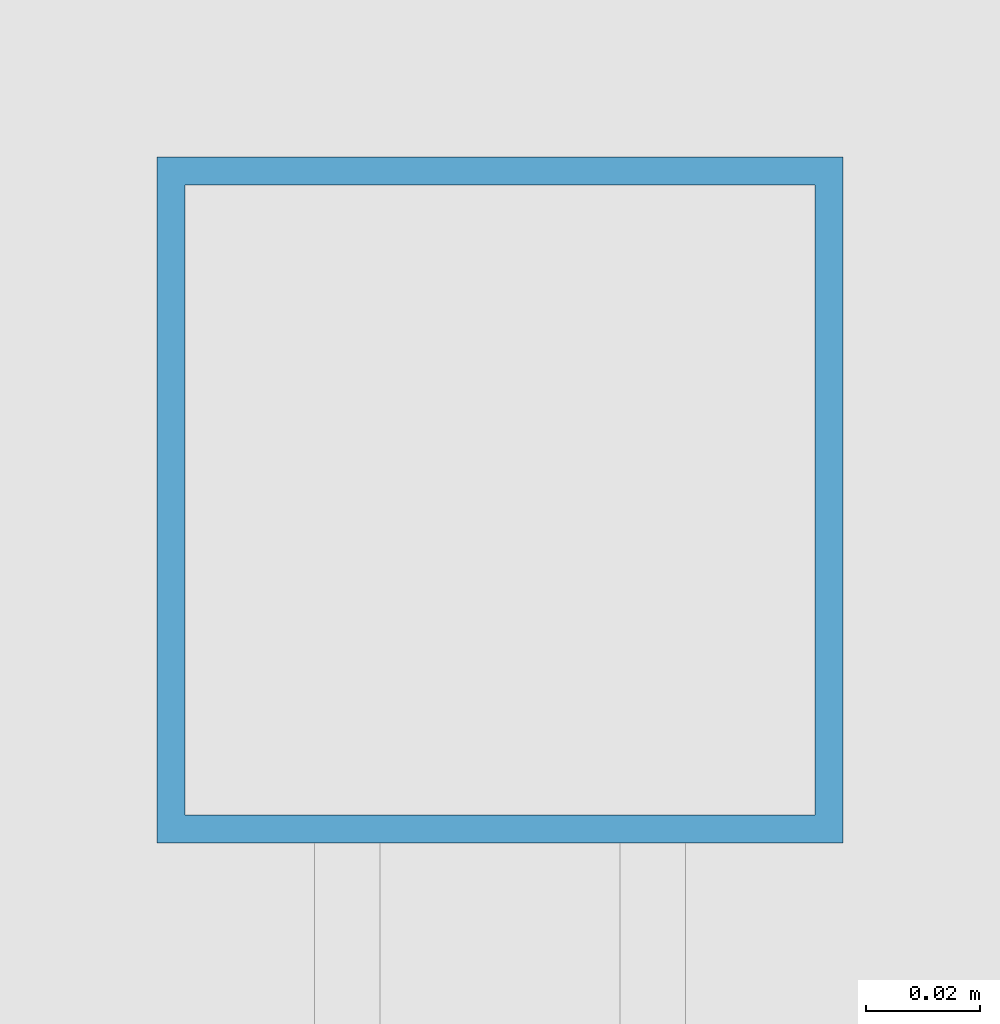
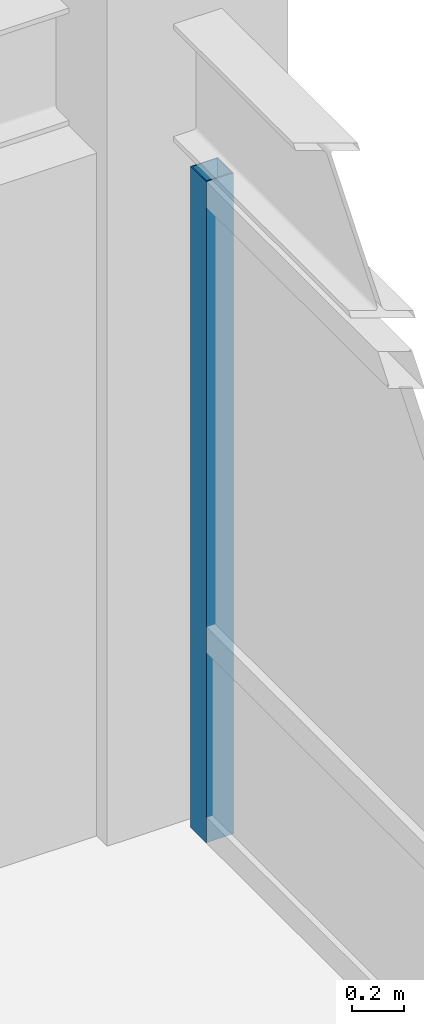
# One storey, part 20 of 30: 1 member, 1 element without a shape of its own.
"""IFC4 building model written with IfcOpenShell, lengths in metres."""

from ifc_helpers import new_model, si_unit, direction, frame, origin, origin_2d, place, context, subcontext, project, spatial, hollow_rectangle, extrude, source, transform, mapped, material, material_profile, profile_set, type_object, element, aggregate, save


model = new_model("IFC4")

# Units and contexts
model_context = context("Model", 3, precision=1e-05, world=origin(), true_north=direction((0.0, 1.0)))
body_context = subcontext(model_context, "Body", "Model", "MODEL_VIEW")
ifc_project = project(units=[si_unit("LENGTHUNIT", "METRE"), si_unit("AREAUNIT", "SQUARE_METRE"), si_unit("VOLUMEUNIT", "CUBIC_METRE"), si_unit("PLANEANGLEUNIT", "RADIAN"), si_unit("MASSUNIT", "GRAM", prefix="KILO")], contexts=[model_context])

# Site, building, storey
site_placement = place(None, origin())
site = spatial("IfcSite", under=ifc_project, at=site_placement, CompositionType="ELEMENT")
building_placement = place(site_placement, origin())
building = spatial("IfcBuilding", under=site, at=building_placement, Name="Khorayat Bourse Tower", CompositionType="ELEMENT")
storey_placement = place(building_placement, frame((0.0, 0.0, 326.300048828125)))
storey = spatial("IfcBuildingStorey", under=building, at=storey_placement, Name="L77", CompositionType="ELEMENT", Elevation=326.300048828125)

# Curtain wall, member
ifc_material = material(Name="Aluminium EN AW-6063 T6", Category="aluminium")
curtain_wall_type = type_object("IfcCurtainWallType", Name="CW-SYS-04", PredefinedType="NOTDEFINED", material=ifc_material)
curtain_wall_placement = place(storey_placement, origin())
curtain_wall = element("IfcCurtainWall", 1, at=curtain_wall_placement, inside=storey, type_object=curtain_wall_type, Name="L77 Curtain Wall CW-L77-E1", PredefinedType="NOTDEFINED")
ifc_material_profile = material_profile(ifc_material, hollow_rectangle(XDim=0.1201171875, YDim=0.1201171875, WallThickness=0.0048828125, at=origin_2d()), Name="ALU 120x120x5")
ifc_profile_set = profile_set([ifc_material_profile], Name="Aluminium EN AW-6063 T6")
member_type = type_object("IfcMemberType", Name="CWM-VERT-120", PredefinedType="MULLION", material=ifc_profile_set)
shared_shape = source(origin(), body_context, "Body", "SweptSolid", [
    extrude(hollow_rectangle(XDim=0.1201171875, YDim=0.1201171875, WallThickness=0.0048828125, at=origin_2d()), origin(), (0.0, 0.0, 1.0), 3.08984375),
])
member_placement = place(storey_placement, frame((26.0, 19.489990234375, 0.0), z_axis=(0.0, 0.0, 1.0), x_axis=(-1.0, 0.0, 0.0)))
member = element("IfcMember", 2, at=member_placement, type_object=member_type, Name="CW-L77-E1 Vertical Mullion 3", PredefinedType="MULLION", context=body_context, shape_type="MappedRepresentation", body=[
    mapped(shared_shape, transform((0.0, 0.0, 0.0), scale=1.0)),
])
aggregate(curtain_wall, [member])

save(model, "model.ifc")
